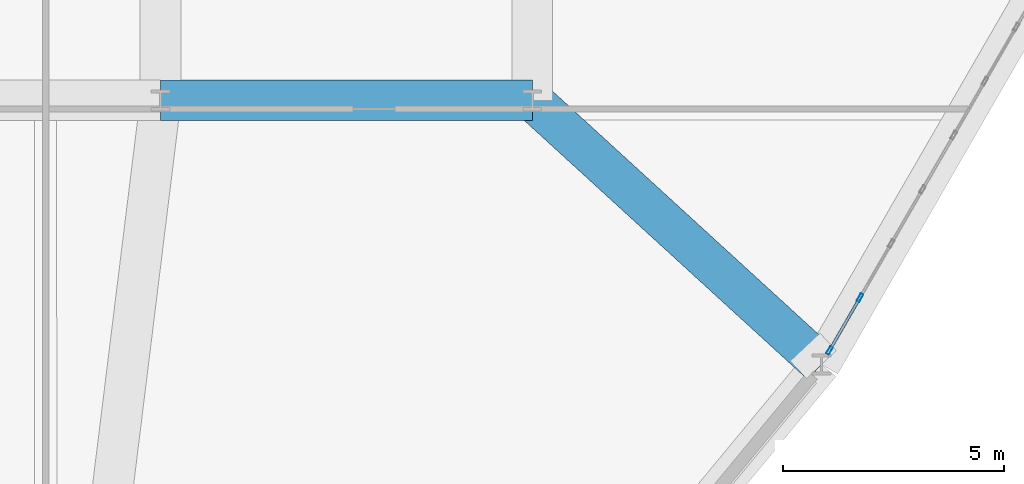
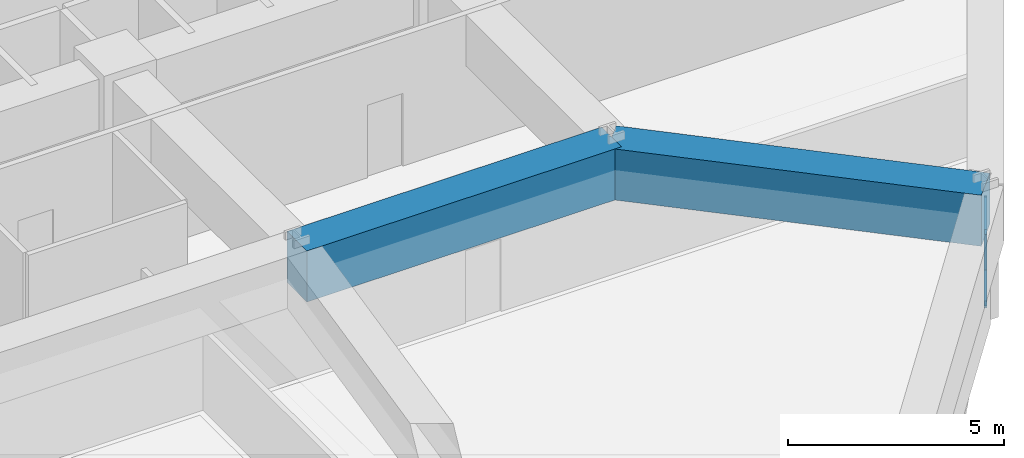
# One storey, part 6 of 20: 4 members, 2 beams, 1 element without a shape of its own.
"""IFC4 building model written with IfcOpenShell, lengths in metres."""

from ifc_helpers import new_model, si_unit, derived_unit, direction, frame, origin, origin_2d, place, context, subcontext, project, spatial, rectangle, hollow_rectangle, extrude, source, transform, mapped, material, layer, layer_set, material_profile, profile_set, type_object, element, aggregate, save


model = new_model("IFC4")

# Units and contexts
model_context = context("Model", 3, precision=1e-05, world=origin(), true_north=direction((0.0, 1.0)))
body_context = subcontext(model_context, "Body", "Model", "MODEL_VIEW")
ifc_project = project(units=[si_unit("LENGTHUNIT", "METRE"), si_unit("AREAUNIT", "SQUARE_METRE"), si_unit("VOLUMEUNIT", "CUBIC_METRE"), si_unit("PLANEANGLEUNIT", "RADIAN"), si_unit("MASSUNIT", "GRAM", prefix="KILO"), derived_unit("THERMALTRANSMITTANCEUNIT", [(si_unit("POWERUNIT", "WATT"), 1), (si_unit("LENGTHUNIT", "METRE"), -2), (si_unit("THERMODYNAMICTEMPERATUREUNIT", "KELVIN"), -1)])], contexts=[model_context])

# Site, building, storey
site_placement = place(None, origin())
site = spatial("IfcSite", under=ifc_project, at=site_placement, CompositionType="ELEMENT")
building_placement = place(site_placement, origin())
building = spatial("IfcBuilding", under=site, at=building_placement, Name="Korsvarv Bourse and Concert Hall", CompositionType="ELEMENT")
storey_placement = place(building_placement, frame((0.0, 0.0, 31.800048828125)))
storey = spatial("IfcBuildingStorey", under=building, at=storey_placement, Name="L07", CompositionType="ELEMENT", Elevation=31.800048828125)

# Beams
ifc_material_1 = material(Name="Concrete C50/60", Category="concrete")
ifc_material_profile_1 = material_profile(ifc_material_1, rectangle(XDim=0.919921875, YDim=1.43994140625, at=origin_2d()), Name="RC-BM 920x1440")
ifc_profile_set_1 = profile_set([ifc_material_profile_1], Name="Concrete C50/60")
beam_type = type_object("IfcBeamType", Name="BM-TR-144", PredefinedType="BEAM", material=ifc_profile_set_1)
shared_shape_1 = source(origin(), body_context, "Body", "SweptSolid", [
    extrude(rectangle(XDim=0.919921875, YDim=1.43994140625, at=origin_2d()), origin(), (0.0, 0.0, 1.0), 8.39990234375),
])
beam_1_placement = place(storey_placement, frame((36.0, 24.0, 2.9599609375), z_axis=(1.0, 0.0, 0.0), x_axis=(0.0, 1.0, 0.0)))
element("IfcBeam", 1, at=beam_1_placement, inside=storey, type_object=beam_type, Name="L07 beam B-TR4", PredefinedType="BEAM", context=body_context, shape_type="MappedRepresentation", body=[
    mapped(shared_shape_1, transform((0.0, 0.0, 0.0), scale=1.0)),
])
shared_shape_2 = source(origin(), body_context, "Body", "SweptSolid", [
    extrude(rectangle(XDim=0.919921875, YDim=1.43994140625, at=origin_2d()), origin(), (0.0, 0.0, 1.0), 8.85009765625),
])
beam_2_placement = place(storey_placement, frame((50.93212890625, 18.02880859375, 2.9599609375), z_axis=(-0.738092395249, 0.674699648789, 0.0), x_axis=(-0.674699648789, -0.738092395249, 0.0)))
element("IfcBeam", 2, at=beam_2_placement, inside=storey, type_object=beam_type, Name="L07 beam B-TR4", PredefinedType="BEAM", context=body_context, shape_type="MappedRepresentation", body=[
    mapped(shared_shape_2, transform((0.0, 0.0, 0.0), scale=1.0)),
])

# Curtain wall, members
ifc_material_2 = material(Name="Anodised aluminium and triple low-E glazing", Category="glass")
ifc_layer = layer(ifc_material_2, 0.219970703125)
ifc_layer_set = layer_set([ifc_layer], Name="Anodised aluminium and triple low-E glazing")
curtain_wall_type = type_object("IfcCurtainWallType", Name="CW-SYS-1", PredefinedType="NOTDEFINED", material=ifc_layer_set)
curtain_wall_placement = place(storey_placement, origin())
curtain_wall = element("IfcCurtainWall", 3, at=curtain_wall_placement, inside=storey, type_object=curtain_wall_type, Name="L07 CW1 curtain wall CW-L07-F11", PredefinedType="NOTDEFINED")
ifc_material_3 = material(Name="Extruded aluminium EN AW-6063 T66", Category="aluminium")
ifc_material_profile_2 = material_profile(ifc_material_3, hollow_rectangle(XDim=0.070068359375, YDim=0.18994140625, WallThickness=0.0048828125, at=origin_2d()), Name="ALU-M 70x190")
ifc_profile_set_2 = profile_set([ifc_material_profile_2], Name="Extruded aluminium EN AW-6063 T66")
member_type_1 = type_object("IfcMemberType", Name="CWM-190", PredefinedType="MULLION", material=ifc_profile_set_2)
shared_shape_3 = source(origin(), body_context, "Body", "SweptSolid", [
    extrude(hollow_rectangle(XDim=0.070068359375, YDim=0.18994140625, WallThickness=0.0048828125, at=origin_2d()), origin(), (0.0, 0.0, 1.0), 2.079833984375),
])
member_1_placement = place(storey_placement, frame((51.115234375, 18.34619140625, 0.0), z_axis=(0.0, 0.0, 1.0), x_axis=(-0.866028517121, 0.499994607504, 0.0)))
member_1 = element("IfcMember", 4, at=member_1_placement, type_object=member_type_1, Name="CW1 mullion 1", PredefinedType="MULLION", context=body_context, shape_type="MappedRepresentation", body=[
    mapped(shared_shape_3, transform((0.0, 0.0, 0.0), scale=1.0)),
])
member_2_placement = place(storey_placement, frame((51.8037109375, 19.53857421875, 0.0), z_axis=(0.0, 0.0, 1.0), x_axis=(-0.866028517121, 0.499994607504, 0.0)))
member_2 = element("IfcMember", 5, at=member_2_placement, type_object=member_type_1, Name="CW1 mullion 2", PredefinedType="MULLION", context=body_context, shape_type="MappedRepresentation", body=[
    mapped(shared_shape_3, transform((0.0, 0.0, 0.0), scale=1.0)),
])
ifc_material_profile_3 = material_profile(ifc_material_3, hollow_rectangle(XDim=0.06494140625, YDim=0.139892578125, WallThickness=0.00390625, at=origin_2d()), Name="ALU-T 65x140")
ifc_profile_set_3 = profile_set([ifc_material_profile_3], Name="Extruded aluminium EN AW-6063 T66")
member_type_2 = type_object("IfcMemberType", Name="CWT-140", PredefinedType="USERDEFINED", material=ifc_profile_set_3)
shared_shape_4 = source(origin(), body_context, "Body", "SweptSolid", [
    extrude(hollow_rectangle(XDim=0.06494140625, YDim=0.139892578125, WallThickness=0.00390625, at=origin_2d()), origin(), (0.0, 0.0, 1.0), 1.306884765625),
])
member_3_placement = place(storey_placement, frame((51.1328125, 18.37646484375, 0.032470703125), z_axis=(0.500056619841, 0.865992711836, 0.0), x_axis=(-0.865992711836, 0.500056619841, 0.0)))
member_3 = element("IfcMember", 6, at=member_3_placement, type_object=member_type_2, Name="CW1 transom 1.1", ObjectType="TRANSOM", PredefinedType="USERDEFINED", context=body_context, shape_type="MappedRepresentation", body=[
    mapped(shared_shape_4, transform((0.0, 0.0, 0.0), scale=1.0)),
])
member_4_placement = place(storey_placement, frame((51.1328125, 18.37646484375, 2.04736328125), z_axis=(0.500056619841, 0.865992711836, 0.0), x_axis=(-0.865992711836, 0.500056619841, 0.0)))
member_4 = element("IfcMember", 7, at=member_4_placement, type_object=member_type_2, Name="CW1 transom 1.2", ObjectType="TRANSOM", PredefinedType="USERDEFINED", context=body_context, shape_type="MappedRepresentation", body=[
    mapped(shared_shape_4, transform((0.0, 0.0, 0.0), scale=1.0)),
])
aggregate(curtain_wall, [member_1, member_2, member_3, member_4])

save(model, "model.ifc")
